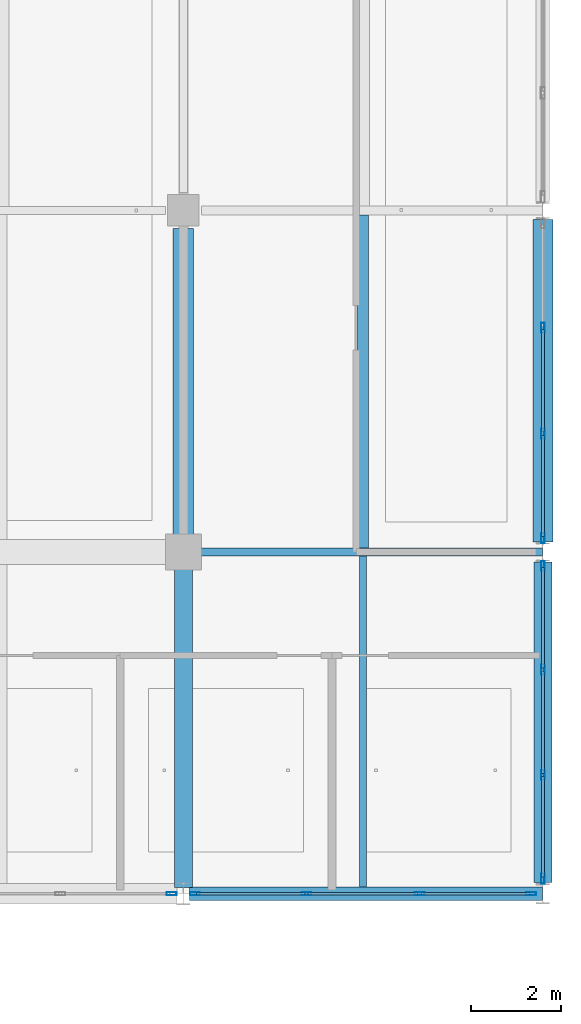
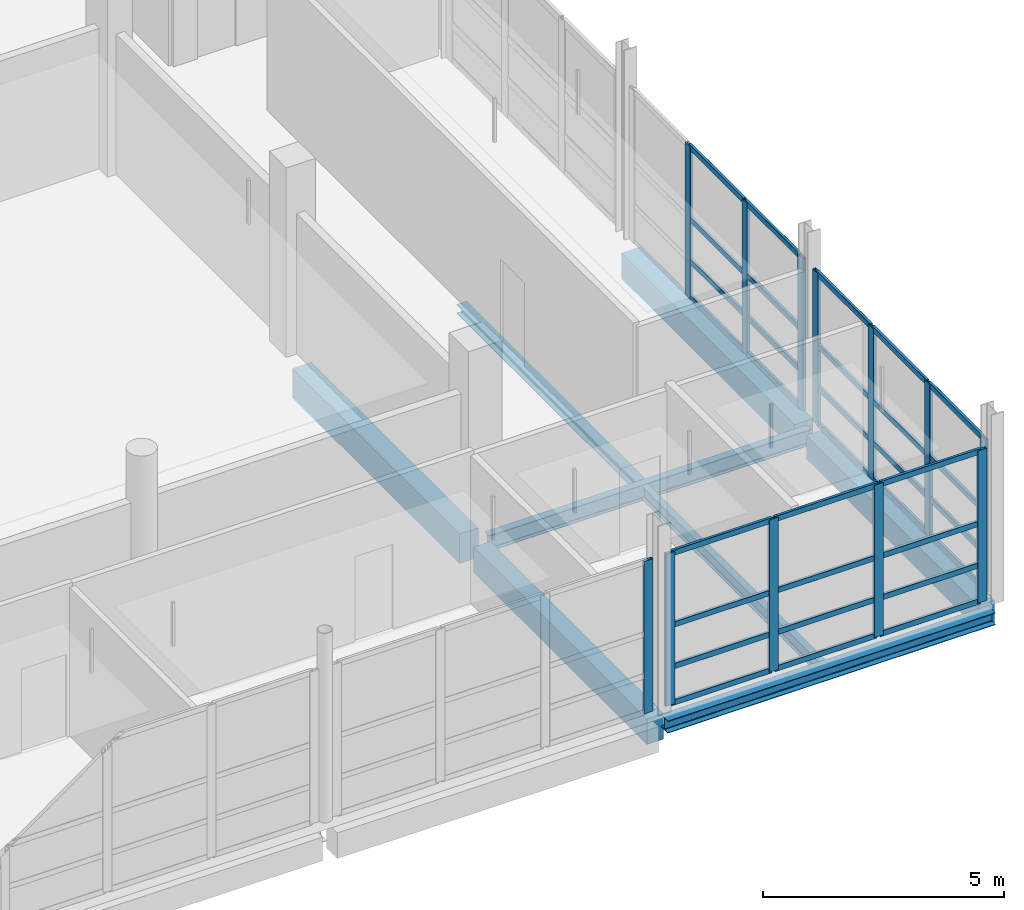
# One storey, part 52 of 141: 44 members, 8 beams, 4 elements without a shape of their own.
"""IFC4 building model written with IfcOpenShell, lengths in metres."""

from ifc_helpers import new_model, si_unit, direction, frame, origin, origin_2d, place, context, subcontext, project, spatial, rectangle, hollow_rectangle, i_section, extrude, material, material_profile, profile_set, type_object, element, aggregate, save


model = new_model("IFC4")

# Units and contexts
model_context = context("Model", 3, precision=1e-05, world=origin(), true_north=direction((0.0, 1.0)))
body_context = subcontext(model_context, "Body", "Model", "MODEL_VIEW")
ifc_project = project(units=[si_unit("LENGTHUNIT", "METRE"), si_unit("AREAUNIT", "SQUARE_METRE"), si_unit("VOLUMEUNIT", "CUBIC_METRE"), si_unit("PLANEANGLEUNIT", "RADIAN"), si_unit("MASSUNIT", "GRAM", prefix="KILO")], contexts=[model_context])

# Site, building, storey
site_placement = place(None, origin())
site = spatial("IfcSite", under=ifc_project, at=site_placement, CompositionType="ELEMENT")
building_placement = place(site_placement, origin())
building = spatial("IfcBuilding", under=site, at=building_placement, Name="Khelvaren Railside Concert Hall", CompositionType="ELEMENT")
storey_placement = place(building_placement, frame((0.0, 0.0, 10.199951171875)))
storey = spatial("IfcBuildingStorey", under=building, at=storey_placement, Name="L02", CompositionType="ELEMENT", Elevation=10.199951171875)

# Beams
ifc_material_1 = material(Name="Steel S355", Category="steel")
ifc_material_profile_1 = material_profile(ifc_material_1, i_section(OverallWidth=0.179931640625, OverallDepth=0.39990234375, WebThickness=0.008544921875, FlangeThickness=0.013427734375, FilletRadius=0.02099609375, at=origin_2d()), Name="IPE 400")
ifc_profile_set_1 = profile_set([ifc_material_profile_1], Name="Steel S355")
beam_type_1 = type_object("IfcBeamType", Name="BM29", PredefinedType="BEAM", material=ifc_profile_set_1)
beam_1_placement = place(storey_placement, frame((176.27294921875, 7.60009765625, -0.489990234375), z_axis=(1.0, 0.0, 0.0), x_axis=(0.0, 1.0, 0.0)))
element("IfcBeam", 1, at=beam_1_placement, inside=storey, type_object=beam_type_1, Name="V2 L02 Beam X2.5", PredefinedType="BEAM", context=body_context, shape_type="SweptSolid", body=[
    extrude(i_section(OverallWidth=0.179931640625, OverallDepth=0.39990234375, WebThickness=0.008544921875, FlangeThickness=0.013427734375, FilletRadius=0.02099609375, at=origin_2d()), origin(), (0.0, 0.0, 1.0), 7.717041015625),
])
ifc_material_2 = material(Name="Concrete C40/50", Category="concrete")
ifc_material_profile_2 = material_profile(ifc_material_2, rectangle(XDim=0.39990234375, YDim=0.64990234375, at=origin_2d()), Name="RCB 400x650")
ifc_profile_set_2 = profile_set([ifc_material_profile_2], Name="Concrete C40/50")
beam_type_2 = type_object("IfcBeamType", Name="BM33", PredefinedType="BEAM", material=ifc_profile_set_2)
beam_2_placement = place(storey_placement, frame((176.0, 0.135986328125, -0.614990234375), z_axis=(0.0, 1.0, 0.0), x_axis=(-1.0, 0.0, 0.0)))
element("IfcBeam", 2, at=beam_2_placement, inside=storey, type_object=beam_type_2, Name="V2 L02 Beam Y5.1", PredefinedType="BEAM", context=body_context, shape_type="SweptSolid", body=[
    extrude(rectangle(XDim=0.39990234375, YDim=0.64990234375, at=origin_2d()), origin(), (0.0, 0.0, 1.0), 7.19091796875),
])
ifc_material_profile_3 = material_profile(ifc_material_2, rectangle(XDim=0.449951171875, YDim=0.75, at=origin_2d()), Name="RCB 450x750")
ifc_profile_set_3 = profile_set([ifc_material_profile_3], Name="Concrete C40/50")
beam_type_3 = type_object("IfcBeamType", Name="BM83", PredefinedType="BEAM", material=ifc_profile_set_3)
beam_3_placement = place(storey_placement, frame((176.0, 7.873046875, -0.6650390625), z_axis=(0.0, 1.0, 0.0), x_axis=(-1.0, 0.0, 0.0)))
element("IfcBeam", 3, at=beam_3_placement, inside=storey, type_object=beam_type_3, Name="V2 L02 Beam Y5.2", PredefinedType="BEAM", context=body_context, shape_type="SweptSolid", body=[
    extrude(rectangle(XDim=0.449951171875, YDim=0.75, at=origin_2d()), origin(), (0.0, 0.0, 1.0), 6.927001953125),
])

# Curtain wall, member
ifc_material_3 = material(Name="Double-glazed clear foyer glass", Category="glass")
curtain_wall_type_1 = type_object("IfcCurtainWallType", Name="CW70", PredefinedType="USERDEFINED", material=ifc_material_3)
curtain_wall_1_placement = place(storey_placement, origin())
curtain_wall_1 = element("IfcCurtainWall", 4, at=curtain_wall_1_placement, inside=storey, type_object=curtain_wall_type_1, Name="Unitised Curtain Wall CW-V2-L02-S-168", ObjectType="UNITISED CURTAIN WALL", PredefinedType="USERDEFINED")
ifc_material_4 = material(Name="Anodised architectural aluminium 6063-T6", Category="aluminium")
ifc_material_profile_4 = material_profile(ifc_material_4, hollow_rectangle(XDim=0.074951171875, YDim=0.219970703125, WallThickness=0.0048828125, InnerFilletRadius=0.0029296875, OuterFilletRadius=0.0048828125, at=origin_2d()), Name="CWM 75x220x5")
ifc_profile_set_4 = profile_set([ifc_material_profile_4], Name="Anodised architectural aluminium 6063-T6")
member_type_1 = type_object("IfcMemberType", Name="CWM13", PredefinedType="MULLION", material=ifc_profile_set_4)
member_1_placement = place(storey_placement, frame((175.739990234375, 0.0, 0.0), z_axis=(0.0, 0.0, 1.0), x_axis=(0.0, -1.0, 0.0)))
member_1 = element("IfcMember", 5, at=member_1_placement, type_object=member_type_1, Name="CW70 mullion 1", PredefinedType="MULLION", context=body_context, shape_type="SweptSolid", body=[
    extrude(hollow_rectangle(XDim=0.074951171875, YDim=0.219970703125, WallThickness=0.0048828125, InnerFilletRadius=0.0029296875, OuterFilletRadius=0.0048828125, at=origin_2d()), origin(), (0.0, 0.0, 1.0), 3.860107421875),
])
aggregate(curtain_wall_1, [member_1])

# Curtain wall, members
curtain_wall_type_2 = type_object("IfcCurtainWallType", Name="CW83", PredefinedType="USERDEFINED", material=ifc_material_3)
curtain_wall_2_placement = place(storey_placement, origin())
curtain_wall_2 = element("IfcCurtainWall", 6, at=curtain_wall_2_placement, inside=storey, type_object=curtain_wall_type_2, Name="Unitised Curtain Wall CW-V2-L02-S-176", ObjectType="UNITISED CURTAIN WALL", PredefinedType="USERDEFINED")
member_2_placement = place(storey_placement, frame((183.739990234375, 0.0, 0.0), z_axis=(0.0, 0.0, 1.0), x_axis=(0.0, -1.0, 0.0)))
member_2 = element("IfcMember", 7, at=member_2_placement, type_object=member_type_1, Name="CW83 mullion 1", PredefinedType="MULLION", context=body_context, shape_type="SweptSolid", body=[
    extrude(hollow_rectangle(XDim=0.074951171875, YDim=0.219970703125, WallThickness=0.0048828125, InnerFilletRadius=0.0029296875, OuterFilletRadius=0.0048828125, at=origin_2d()), origin(), (0.0, 0.0, 1.0), 3.860107421875),
])
member_3_placement = place(storey_placement, frame((181.25927734375, 0.0, 0.0), z_axis=(0.0, 0.0, 1.0), x_axis=(0.0, -1.0, 0.0)))
member_3 = element("IfcMember", 8, at=member_3_placement, type_object=member_type_1, Name="CW83 mullion 2", PredefinedType="MULLION", context=body_context, shape_type="SweptSolid", body=[
    extrude(hollow_rectangle(XDim=0.074951171875, YDim=0.219970703125, WallThickness=0.0048828125, InnerFilletRadius=0.0029296875, OuterFilletRadius=0.0048828125, at=origin_2d()), origin(), (0.0, 0.0, 1.0), 3.860107421875),
])
member_4_placement = place(storey_placement, frame((178.74072265625, 0.0, 0.0), z_axis=(0.0, 0.0, 1.0), x_axis=(0.0, -1.0, 0.0)))
member_4 = element("IfcMember", 9, at=member_4_placement, type_object=member_type_1, Name="CW83 mullion 3", PredefinedType="MULLION", context=body_context, shape_type="SweptSolid", body=[
    extrude(hollow_rectangle(XDim=0.074951171875, YDim=0.219970703125, WallThickness=0.0048828125, InnerFilletRadius=0.0029296875, OuterFilletRadius=0.0048828125, at=origin_2d()), origin(), (0.0, 0.0, 1.0), 3.860107421875),
])
member_5_placement = place(storey_placement, frame((176.260009765625, 0.0, 0.0), z_axis=(0.0, 0.0, 1.0), x_axis=(0.0, -1.0, 0.0)))
member_5 = element("IfcMember", 10, at=member_5_placement, type_object=member_type_1, Name="CW83 mullion 4", PredefinedType="MULLION", context=body_context, shape_type="SweptSolid", body=[
    extrude(hollow_rectangle(XDim=0.074951171875, YDim=0.219970703125, WallThickness=0.0048828125, InnerFilletRadius=0.0029296875, OuterFilletRadius=0.0048828125, at=origin_2d()), origin(), (0.0, 0.0, 1.0), 3.860107421875),
])

curtain_wall_3_placement = place(storey_placement, origin())
curtain_wall_3 = element("IfcCurtainWall", 11, at=curtain_wall_3_placement, inside=storey, type_object=curtain_wall_type_2, Name="Unitised Curtain Wall CW-V2-L02-E-0", ObjectType="UNITISED CURTAIN WALL", PredefinedType="USERDEFINED")
member_6_placement = place(storey_placement, frame((184.0, 7.2900390625, 0.0), z_axis=(0.0, 0.0, 1.0), x_axis=(1.0, 0.0, 0.0)))
member_6 = element("IfcMember", 12, at=member_6_placement, type_object=member_type_1, Name="CW83 mullion 1", PredefinedType="MULLION", context=body_context, shape_type="SweptSolid", body=[
    extrude(hollow_rectangle(XDim=0.074951171875, YDim=0.219970703125, WallThickness=0.0048828125, InnerFilletRadius=0.0029296875, OuterFilletRadius=0.0048828125, at=origin_2d()), origin(), (0.0, 0.0, 1.0), 3.860107421875),
])
member_7_placement = place(storey_placement, frame((184.0, 4.984130859375, 0.0), z_axis=(0.0, 0.0, 1.0), x_axis=(1.0, 0.0, 0.0)))
member_7 = element("IfcMember", 13, at=member_7_placement, type_object=member_type_1, Name="CW83 mullion 2", PredefinedType="MULLION", context=body_context, shape_type="SweptSolid", body=[
    extrude(hollow_rectangle(XDim=0.074951171875, YDim=0.219970703125, WallThickness=0.0048828125, InnerFilletRadius=0.0029296875, OuterFilletRadius=0.0048828125, at=origin_2d()), origin(), (0.0, 0.0, 1.0), 3.860107421875),
])
member_8_placement = place(storey_placement, frame((184.0, 2.640869140625, 0.0), z_axis=(0.0, 0.0, 1.0), x_axis=(1.0, 0.0, 0.0)))
member_8 = element("IfcMember", 14, at=member_8_placement, type_object=member_type_1, Name="CW83 mullion 3", PredefinedType="MULLION", context=body_context, shape_type="SweptSolid", body=[
    extrude(hollow_rectangle(XDim=0.074951171875, YDim=0.219970703125, WallThickness=0.0048828125, InnerFilletRadius=0.0029296875, OuterFilletRadius=0.0048828125, at=origin_2d()), origin(), (0.0, 0.0, 1.0), 3.860107421875),
])
member_9_placement = place(storey_placement, frame((184.0, 0.3349609375, 0.0), z_axis=(0.0, 0.0, 1.0), x_axis=(1.0, 0.0, 0.0)))
member_9 = element("IfcMember", 15, at=member_9_placement, type_object=member_type_1, Name="CW83 mullion 4", PredefinedType="MULLION", context=body_context, shape_type="SweptSolid", body=[
    extrude(hollow_rectangle(XDim=0.074951171875, YDim=0.219970703125, WallThickness=0.0048828125, InnerFilletRadius=0.0029296875, OuterFilletRadius=0.0048828125, at=origin_2d()), origin(), (0.0, 0.0, 1.0), 3.860107421875),
])

curtain_wall_type_3 = type_object("IfcCurtainWallType", Name="CW64", PredefinedType="USERDEFINED", material=ifc_material_3)
curtain_wall_4_placement = place(storey_placement, origin())
curtain_wall_4 = element("IfcCurtainWall", 16, at=curtain_wall_4_placement, inside=storey, type_object=curtain_wall_type_3, Name="Unitised Curtain Wall CW-V2-L02-E-8", ObjectType="UNITISED CURTAIN WALL", PredefinedType="USERDEFINED")
member_10_placement = place(storey_placement, frame((184.0, 12.589111328125, 0.0), z_axis=(0.0, 0.0, 1.0), x_axis=(1.0, 0.0, 0.0)))
member_10 = element("IfcMember", 17, at=member_10_placement, type_object=member_type_1, Name="CW64 mullion 2", PredefinedType="MULLION", context=body_context, shape_type="SweptSolid", body=[
    extrude(hollow_rectangle(XDim=0.074951171875, YDim=0.219970703125, WallThickness=0.0048828125, InnerFilletRadius=0.0029296875, OuterFilletRadius=0.0048828125, at=origin_2d()), origin(), (0.0, 0.0, 1.0), 3.860107421875),
])
member_11_placement = place(storey_placement, frame((184.0, 10.230712890625, 0.0), z_axis=(0.0, 0.0, 1.0), x_axis=(1.0, 0.0, 0.0)))
member_11 = element("IfcMember", 18, at=member_11_placement, type_object=member_type_1, Name="CW64 mullion 3", PredefinedType="MULLION", context=body_context, shape_type="SweptSolid", body=[
    extrude(hollow_rectangle(XDim=0.074951171875, YDim=0.219970703125, WallThickness=0.0048828125, InnerFilletRadius=0.0029296875, OuterFilletRadius=0.0048828125, at=origin_2d()), origin(), (0.0, 0.0, 1.0), 3.860107421875),
])
member_12_placement = place(storey_placement, frame((184.0, 7.909912109375, 0.0), z_axis=(0.0, 0.0, 1.0), x_axis=(1.0, 0.0, 0.0)))
member_12 = element("IfcMember", 19, at=member_12_placement, type_object=member_type_1, Name="CW64 mullion 4", PredefinedType="MULLION", context=body_context, shape_type="SweptSolid", body=[
    extrude(hollow_rectangle(XDim=0.074951171875, YDim=0.219970703125, WallThickness=0.0048828125, InnerFilletRadius=0.0029296875, OuterFilletRadius=0.0048828125, at=origin_2d()), origin(), (0.0, 0.0, 1.0), 3.860107421875),
])

# Member
ifc_material_profile_5 = material_profile(ifc_material_4, hollow_rectangle(XDim=0.06494140625, YDim=0.139892578125, WallThickness=0.00390625, InnerFilletRadius=0.001953125, OuterFilletRadius=0.00390625, at=origin_2d()), Name="CWT 65x140x4")
ifc_profile_set_5 = profile_set([ifc_material_profile_5], Name="Anodised architectural aluminium 6063-T6")
member_type_2 = type_object("IfcMemberType", Name="CWT72", PredefinedType="USERDEFINED", material=ifc_profile_set_5)
member_13_placement = place(storey_placement, frame((183.702392578125, 0.0, 0.032470703125), z_axis=(-1.0, 0.0, 0.0), x_axis=(0.0, -1.0, 0.0)))
member_13 = element("IfcMember", 20, at=member_13_placement, type_object=member_type_2, Name="CW83 transom 1.1", ObjectType="TRANSOM", PredefinedType="USERDEFINED", context=body_context, shape_type="SweptSolid", body=[
    extrude(hollow_rectangle(XDim=0.06494140625, YDim=0.139892578125, WallThickness=0.00390625, InnerFilletRadius=0.001953125, OuterFilletRadius=0.00390625, at=origin_2d()), origin(), (0.0, 0.0, 1.0), 2.40576171875),
])

member_14_placement = place(storey_placement, frame((183.702392578125, 0.0, 0.949951171875), z_axis=(-1.0, 0.0, 0.0), x_axis=(0.0, -1.0, 0.0)))
member_14 = element("IfcMember", 21, at=member_14_placement, type_object=member_type_2, Name="CW83 transom 1.2", ObjectType="TRANSOM", PredefinedType="USERDEFINED", context=body_context, shape_type="SweptSolid", body=[
    extrude(hollow_rectangle(XDim=0.06494140625, YDim=0.139892578125, WallThickness=0.00390625, InnerFilletRadius=0.001953125, OuterFilletRadius=0.00390625, at=origin_2d()), origin(), (0.0, 0.0, 1.0), 2.40576171875),
])

member_15_placement = place(storey_placement, frame((183.702392578125, 0.0, 2.00732421875), z_axis=(-1.0, 0.0, 0.0), x_axis=(0.0, -1.0, 0.0)))
member_15 = element("IfcMember", 22, at=member_15_placement, type_object=member_type_2, Name="CW83 transom 1.3", ObjectType="TRANSOM", PredefinedType="USERDEFINED", context=body_context, shape_type="SweptSolid", body=[
    extrude(hollow_rectangle(XDim=0.06494140625, YDim=0.139892578125, WallThickness=0.00390625, InnerFilletRadius=0.001953125, OuterFilletRadius=0.00390625, at=origin_2d()), origin(), (0.0, 0.0, 1.0), 2.40576171875),
])

member_16_placement = place(storey_placement, frame((183.702392578125, 0.0, 3.82763671875), z_axis=(-1.0, 0.0, 0.0), x_axis=(0.0, -1.0, 0.0)))
member_16 = element("IfcMember", 23, at=member_16_placement, type_object=member_type_2, Name="CW83 transom 1.4", ObjectType="TRANSOM", PredefinedType="USERDEFINED", context=body_context, shape_type="SweptSolid", body=[
    extrude(hollow_rectangle(XDim=0.06494140625, YDim=0.139892578125, WallThickness=0.00390625, InnerFilletRadius=0.001953125, OuterFilletRadius=0.00390625, at=origin_2d()), origin(), (0.0, 0.0, 1.0), 2.40576171875),
])

member_17_placement = place(storey_placement, frame((181.2216796875, 0.0, 0.032470703125), z_axis=(-1.0, 0.0, 0.0), x_axis=(0.0, -1.0, 0.0)))
member_17 = element("IfcMember", 24, at=member_17_placement, type_object=member_type_2, Name="CW83 transom 2.1", ObjectType="TRANSOM", PredefinedType="USERDEFINED", context=body_context, shape_type="SweptSolid", body=[
    extrude(hollow_rectangle(XDim=0.06494140625, YDim=0.139892578125, WallThickness=0.00390625, InnerFilletRadius=0.001953125, OuterFilletRadius=0.00390625, at=origin_2d()), origin(), (0.0, 0.0, 1.0), 2.443359375),
])

member_18_placement = place(storey_placement, frame((181.2216796875, 0.0, 0.949951171875), z_axis=(-1.0, 0.0, 0.0), x_axis=(0.0, -1.0, 0.0)))
member_18 = element("IfcMember", 25, at=member_18_placement, type_object=member_type_2, Name="CW83 transom 2.2", ObjectType="TRANSOM", PredefinedType="USERDEFINED", context=body_context, shape_type="SweptSolid", body=[
    extrude(hollow_rectangle(XDim=0.06494140625, YDim=0.139892578125, WallThickness=0.00390625, InnerFilletRadius=0.001953125, OuterFilletRadius=0.00390625, at=origin_2d()), origin(), (0.0, 0.0, 1.0), 2.443359375),
])

member_19_placement = place(storey_placement, frame((181.2216796875, 0.0, 2.00732421875), z_axis=(-1.0, 0.0, 0.0), x_axis=(0.0, -1.0, 0.0)))
member_19 = element("IfcMember", 26, at=member_19_placement, type_object=member_type_2, Name="CW83 transom 2.3", ObjectType="TRANSOM", PredefinedType="USERDEFINED", context=body_context, shape_type="SweptSolid", body=[
    extrude(hollow_rectangle(XDim=0.06494140625, YDim=0.139892578125, WallThickness=0.00390625, InnerFilletRadius=0.001953125, OuterFilletRadius=0.00390625, at=origin_2d()), origin(), (0.0, 0.0, 1.0), 2.443359375),
])

member_20_placement = place(storey_placement, frame((181.2216796875, 0.0, 3.82763671875), z_axis=(-1.0, 0.0, 0.0), x_axis=(0.0, -1.0, 0.0)))
member_20 = element("IfcMember", 27, at=member_20_placement, type_object=member_type_2, Name="CW83 transom 2.4", ObjectType="TRANSOM", PredefinedType="USERDEFINED", context=body_context, shape_type="SweptSolid", body=[
    extrude(hollow_rectangle(XDim=0.06494140625, YDim=0.139892578125, WallThickness=0.00390625, InnerFilletRadius=0.001953125, OuterFilletRadius=0.00390625, at=origin_2d()), origin(), (0.0, 0.0, 1.0), 2.443359375),
])

member_21_placement = place(storey_placement, frame((178.703369140625, 0.0, 0.032470703125), z_axis=(-1.0, 0.0, 0.0), x_axis=(0.0, -1.0, 0.0)))
member_21 = element("IfcMember", 28, at=member_21_placement, type_object=member_type_2, Name="CW83 transom 3.1", ObjectType="TRANSOM", PredefinedType="USERDEFINED", context=body_context, shape_type="SweptSolid", body=[
    extrude(hollow_rectangle(XDim=0.06494140625, YDim=0.139892578125, WallThickness=0.00390625, InnerFilletRadius=0.001953125, OuterFilletRadius=0.00390625, at=origin_2d()), origin(), (0.0, 0.0, 1.0), 2.40576171875),
])

member_22_placement = place(storey_placement, frame((178.703369140625, 0.0, 0.949951171875), z_axis=(-1.0, 0.0, 0.0), x_axis=(0.0, -1.0, 0.0)))
member_22 = element("IfcMember", 29, at=member_22_placement, type_object=member_type_2, Name="CW83 transom 3.2", ObjectType="TRANSOM", PredefinedType="USERDEFINED", context=body_context, shape_type="SweptSolid", body=[
    extrude(hollow_rectangle(XDim=0.06494140625, YDim=0.139892578125, WallThickness=0.00390625, InnerFilletRadius=0.001953125, OuterFilletRadius=0.00390625, at=origin_2d()), origin(), (0.0, 0.0, 1.0), 2.40576171875),
])

member_23_placement = place(storey_placement, frame((178.703369140625, 0.0, 2.00732421875), z_axis=(-1.0, 0.0, 0.0), x_axis=(0.0, -1.0, 0.0)))
member_23 = element("IfcMember", 30, at=member_23_placement, type_object=member_type_2, Name="CW83 transom 3.3", ObjectType="TRANSOM", PredefinedType="USERDEFINED", context=body_context, shape_type="SweptSolid", body=[
    extrude(hollow_rectangle(XDim=0.06494140625, YDim=0.139892578125, WallThickness=0.00390625, InnerFilletRadius=0.001953125, OuterFilletRadius=0.00390625, at=origin_2d()), origin(), (0.0, 0.0, 1.0), 2.40576171875),
])

member_24_placement = place(storey_placement, frame((178.703369140625, 0.0, 3.82763671875), z_axis=(-1.0, 0.0, 0.0), x_axis=(0.0, -1.0, 0.0)))
member_24 = element("IfcMember", 31, at=member_24_placement, type_object=member_type_2, Name="CW83 transom 3.4", ObjectType="TRANSOM", PredefinedType="USERDEFINED", context=body_context, shape_type="SweptSolid", body=[
    extrude(hollow_rectangle(XDim=0.06494140625, YDim=0.139892578125, WallThickness=0.00390625, InnerFilletRadius=0.001953125, OuterFilletRadius=0.00390625, at=origin_2d()), origin(), (0.0, 0.0, 1.0), 2.40576171875),
])

aggregate(curtain_wall_2, [member_2, member_3, member_4, member_5, member_13, member_14, member_15, member_16, member_17, member_18, member_19, member_20, member_21, member_22, member_23, member_24])

member_25_placement = place(storey_placement, frame((184.0, 7.25244140625, 0.032470703125), z_axis=(0.0, -1.0, 0.0), x_axis=(1.0, 0.0, 0.0)))
member_25 = element("IfcMember", 32, at=member_25_placement, type_object=member_type_2, Name="CW83 transom 1.1", ObjectType="TRANSOM", PredefinedType="USERDEFINED", context=body_context, shape_type="SweptSolid", body=[
    extrude(hollow_rectangle(XDim=0.06494140625, YDim=0.139892578125, WallThickness=0.00390625, InnerFilletRadius=0.001953125, OuterFilletRadius=0.00390625, at=origin_2d()), origin(), (0.0, 0.0, 1.0), 2.230712890625),
])

member_26_placement = place(storey_placement, frame((184.0, 7.25244140625, 0.949951171875), z_axis=(0.0, -1.0, 0.0), x_axis=(1.0, 0.0, 0.0)))
member_26 = element("IfcMember", 33, at=member_26_placement, type_object=member_type_2, Name="CW83 transom 1.2", ObjectType="TRANSOM", PredefinedType="USERDEFINED", context=body_context, shape_type="SweptSolid", body=[
    extrude(hollow_rectangle(XDim=0.06494140625, YDim=0.139892578125, WallThickness=0.00390625, InnerFilletRadius=0.001953125, OuterFilletRadius=0.00390625, at=origin_2d()), origin(), (0.0, 0.0, 1.0), 2.230712890625),
])

member_27_placement = place(storey_placement, frame((184.0, 7.25244140625, 2.00732421875), z_axis=(0.0, -1.0, 0.0), x_axis=(1.0, 0.0, 0.0)))
member_27 = element("IfcMember", 34, at=member_27_placement, type_object=member_type_2, Name="CW83 transom 1.3", ObjectType="TRANSOM", PredefinedType="USERDEFINED", context=body_context, shape_type="SweptSolid", body=[
    extrude(hollow_rectangle(XDim=0.06494140625, YDim=0.139892578125, WallThickness=0.00390625, InnerFilletRadius=0.001953125, OuterFilletRadius=0.00390625, at=origin_2d()), origin(), (0.0, 0.0, 1.0), 2.230712890625),
])

member_28_placement = place(storey_placement, frame((184.0, 7.25244140625, 3.82763671875), z_axis=(0.0, -1.0, 0.0), x_axis=(1.0, 0.0, 0.0)))
member_28 = element("IfcMember", 35, at=member_28_placement, type_object=member_type_2, Name="CW83 transom 1.4", ObjectType="TRANSOM", PredefinedType="USERDEFINED", context=body_context, shape_type="SweptSolid", body=[
    extrude(hollow_rectangle(XDim=0.06494140625, YDim=0.139892578125, WallThickness=0.00390625, InnerFilletRadius=0.001953125, OuterFilletRadius=0.00390625, at=origin_2d()), origin(), (0.0, 0.0, 1.0), 2.230712890625),
])

member_29_placement = place(storey_placement, frame((184.0, 4.94677734375, 0.032470703125), z_axis=(0.0, -1.0, 0.0), x_axis=(1.0, 0.0, 0.0)))
member_29 = element("IfcMember", 36, at=member_29_placement, type_object=member_type_2, Name="CW83 transom 2.1", ObjectType="TRANSOM", PredefinedType="USERDEFINED", context=body_context, shape_type="SweptSolid", body=[
    extrude(hollow_rectangle(XDim=0.06494140625, YDim=0.139892578125, WallThickness=0.00390625, InnerFilletRadius=0.001953125, OuterFilletRadius=0.00390625, at=origin_2d()), origin(), (0.0, 0.0, 1.0), 2.2685546875),
])

member_30_placement = place(storey_placement, frame((184.0, 4.94677734375, 0.949951171875), z_axis=(0.0, -1.0, 0.0), x_axis=(1.0, 0.0, 0.0)))
member_30 = element("IfcMember", 37, at=member_30_placement, type_object=member_type_2, Name="CW83 transom 2.2", ObjectType="TRANSOM", PredefinedType="USERDEFINED", context=body_context, shape_type="SweptSolid", body=[
    extrude(hollow_rectangle(XDim=0.06494140625, YDim=0.139892578125, WallThickness=0.00390625, InnerFilletRadius=0.001953125, OuterFilletRadius=0.00390625, at=origin_2d()), origin(), (0.0, 0.0, 1.0), 2.2685546875),
])

member_31_placement = place(storey_placement, frame((184.0, 4.94677734375, 2.00732421875), z_axis=(0.0, -1.0, 0.0), x_axis=(1.0, 0.0, 0.0)))
member_31 = element("IfcMember", 38, at=member_31_placement, type_object=member_type_2, Name="CW83 transom 2.3", ObjectType="TRANSOM", PredefinedType="USERDEFINED", context=body_context, shape_type="SweptSolid", body=[
    extrude(hollow_rectangle(XDim=0.06494140625, YDim=0.139892578125, WallThickness=0.00390625, InnerFilletRadius=0.001953125, OuterFilletRadius=0.00390625, at=origin_2d()), origin(), (0.0, 0.0, 1.0), 2.2685546875),
])

member_32_placement = place(storey_placement, frame((184.0, 4.94677734375, 3.82763671875), z_axis=(0.0, -1.0, 0.0), x_axis=(1.0, 0.0, 0.0)))
member_32 = element("IfcMember", 39, at=member_32_placement, type_object=member_type_2, Name="CW83 transom 2.4", ObjectType="TRANSOM", PredefinedType="USERDEFINED", context=body_context, shape_type="SweptSolid", body=[
    extrude(hollow_rectangle(XDim=0.06494140625, YDim=0.139892578125, WallThickness=0.00390625, InnerFilletRadius=0.001953125, OuterFilletRadius=0.00390625, at=origin_2d()), origin(), (0.0, 0.0, 1.0), 2.2685546875),
])

member_33_placement = place(storey_placement, frame((184.0, 2.603271484375, 0.032470703125), z_axis=(0.0, -1.0, 0.0), x_axis=(1.0, 0.0, 0.0)))
member_33 = element("IfcMember", 40, at=member_33_placement, type_object=member_type_2, Name="CW83 transom 3.1", ObjectType="TRANSOM", PredefinedType="USERDEFINED", context=body_context, shape_type="SweptSolid", body=[
    extrude(hollow_rectangle(XDim=0.06494140625, YDim=0.139892578125, WallThickness=0.00390625, InnerFilletRadius=0.001953125, OuterFilletRadius=0.00390625, at=origin_2d()), origin(), (0.0, 0.0, 1.0), 2.230712890625),
])

member_34_placement = place(storey_placement, frame((184.0, 2.603271484375, 0.949951171875), z_axis=(0.0, -1.0, 0.0), x_axis=(1.0, 0.0, 0.0)))
member_34 = element("IfcMember", 41, at=member_34_placement, type_object=member_type_2, Name="CW83 transom 3.2", ObjectType="TRANSOM", PredefinedType="USERDEFINED", context=body_context, shape_type="SweptSolid", body=[
    extrude(hollow_rectangle(XDim=0.06494140625, YDim=0.139892578125, WallThickness=0.00390625, InnerFilletRadius=0.001953125, OuterFilletRadius=0.00390625, at=origin_2d()), origin(), (0.0, 0.0, 1.0), 2.230712890625),
])

member_35_placement = place(storey_placement, frame((184.0, 2.603271484375, 2.00732421875), z_axis=(0.0, -1.0, 0.0), x_axis=(1.0, 0.0, 0.0)))
member_35 = element("IfcMember", 42, at=member_35_placement, type_object=member_type_2, Name="CW83 transom 3.3", ObjectType="TRANSOM", PredefinedType="USERDEFINED", context=body_context, shape_type="SweptSolid", body=[
    extrude(hollow_rectangle(XDim=0.06494140625, YDim=0.139892578125, WallThickness=0.00390625, InnerFilletRadius=0.001953125, OuterFilletRadius=0.00390625, at=origin_2d()), origin(), (0.0, 0.0, 1.0), 2.230712890625),
])

member_36_placement = place(storey_placement, frame((184.0, 2.603271484375, 3.82763671875), z_axis=(0.0, -1.0, 0.0), x_axis=(1.0, 0.0, 0.0)))
member_36 = element("IfcMember", 43, at=member_36_placement, type_object=member_type_2, Name="CW83 transom 3.4", ObjectType="TRANSOM", PredefinedType="USERDEFINED", context=body_context, shape_type="SweptSolid", body=[
    extrude(hollow_rectangle(XDim=0.06494140625, YDim=0.139892578125, WallThickness=0.00390625, InnerFilletRadius=0.001953125, OuterFilletRadius=0.00390625, at=origin_2d()), origin(), (0.0, 0.0, 1.0), 2.230712890625),
])

aggregate(curtain_wall_3, [member_6, member_7, member_8, member_9, member_25, member_26, member_27, member_28, member_29, member_30, member_31, member_32, member_33, member_34, member_35, member_36])

member_37_placement = place(storey_placement, frame((184.0, 12.5517578125, 0.032470703125), z_axis=(0.0, -1.0, 0.0), x_axis=(1.0, 0.0, 0.0)))
member_37 = element("IfcMember", 44, at=member_37_placement, type_object=member_type_2, Name="CW64 transom 2.1", ObjectType="TRANSOM", PredefinedType="USERDEFINED", context=body_context, shape_type="SweptSolid", body=[
    extrude(hollow_rectangle(XDim=0.06494140625, YDim=0.139892578125, WallThickness=0.00390625, InnerFilletRadius=0.001953125, OuterFilletRadius=0.00390625, at=origin_2d()), origin(), (0.0, 0.0, 1.0), 2.283447265625),
])

member_38_placement = place(storey_placement, frame((184.0, 12.5517578125, 0.949951171875), z_axis=(0.0, -1.0, 0.0), x_axis=(1.0, 0.0, 0.0)))
member_38 = element("IfcMember", 45, at=member_38_placement, type_object=member_type_2, Name="CW64 transom 2.2", ObjectType="TRANSOM", PredefinedType="USERDEFINED", context=body_context, shape_type="SweptSolid", body=[
    extrude(hollow_rectangle(XDim=0.06494140625, YDim=0.139892578125, WallThickness=0.00390625, InnerFilletRadius=0.001953125, OuterFilletRadius=0.00390625, at=origin_2d()), origin(), (0.0, 0.0, 1.0), 2.283447265625),
])

member_39_placement = place(storey_placement, frame((184.0, 12.5517578125, 2.00732421875), z_axis=(0.0, -1.0, 0.0), x_axis=(1.0, 0.0, 0.0)))
member_39 = element("IfcMember", 46, at=member_39_placement, type_object=member_type_2, Name="CW64 transom 2.3", ObjectType="TRANSOM", PredefinedType="USERDEFINED", context=body_context, shape_type="SweptSolid", body=[
    extrude(hollow_rectangle(XDim=0.06494140625, YDim=0.139892578125, WallThickness=0.00390625, InnerFilletRadius=0.001953125, OuterFilletRadius=0.00390625, at=origin_2d()), origin(), (0.0, 0.0, 1.0), 2.283447265625),
])

member_40_placement = place(storey_placement, frame((184.0, 12.5517578125, 3.82763671875), z_axis=(0.0, -1.0, 0.0), x_axis=(1.0, 0.0, 0.0)))
member_40 = element("IfcMember", 47, at=member_40_placement, type_object=member_type_2, Name="CW64 transom 2.4", ObjectType="TRANSOM", PredefinedType="USERDEFINED", context=body_context, shape_type="SweptSolid", body=[
    extrude(hollow_rectangle(XDim=0.06494140625, YDim=0.139892578125, WallThickness=0.00390625, InnerFilletRadius=0.001953125, OuterFilletRadius=0.00390625, at=origin_2d()), origin(), (0.0, 0.0, 1.0), 2.283447265625),
])

member_41_placement = place(storey_placement, frame((184.0, 10.193359375, 0.032470703125), z_axis=(0.0, -1.0, 0.0), x_axis=(1.0, 0.0, 0.0)))
member_41 = element("IfcMember", 48, at=member_41_placement, type_object=member_type_2, Name="CW64 transom 3.1", ObjectType="TRANSOM", PredefinedType="USERDEFINED", context=body_context, shape_type="SweptSolid", body=[
    extrude(hollow_rectangle(XDim=0.06494140625, YDim=0.139892578125, WallThickness=0.00390625, InnerFilletRadius=0.001953125, OuterFilletRadius=0.00390625, at=origin_2d()), origin(), (0.0, 0.0, 1.0), 2.245849609375),
])

member_42_placement = place(storey_placement, frame((184.0, 10.193359375, 0.949951171875), z_axis=(0.0, -1.0, 0.0), x_axis=(1.0, 0.0, 0.0)))
member_42 = element("IfcMember", 49, at=member_42_placement, type_object=member_type_2, Name="CW64 transom 3.2", ObjectType="TRANSOM", PredefinedType="USERDEFINED", context=body_context, shape_type="SweptSolid", body=[
    extrude(hollow_rectangle(XDim=0.06494140625, YDim=0.139892578125, WallThickness=0.00390625, InnerFilletRadius=0.001953125, OuterFilletRadius=0.00390625, at=origin_2d()), origin(), (0.0, 0.0, 1.0), 2.245849609375),
])

member_43_placement = place(storey_placement, frame((184.0, 10.193359375, 2.00732421875), z_axis=(0.0, -1.0, 0.0), x_axis=(1.0, 0.0, 0.0)))
member_43 = element("IfcMember", 50, at=member_43_placement, type_object=member_type_2, Name="CW64 transom 3.3", ObjectType="TRANSOM", PredefinedType="USERDEFINED", context=body_context, shape_type="SweptSolid", body=[
    extrude(hollow_rectangle(XDim=0.06494140625, YDim=0.139892578125, WallThickness=0.00390625, InnerFilletRadius=0.001953125, OuterFilletRadius=0.00390625, at=origin_2d()), origin(), (0.0, 0.0, 1.0), 2.245849609375),
])

member_44_placement = place(storey_placement, frame((184.0, 10.193359375, 3.82763671875), z_axis=(0.0, -1.0, 0.0), x_axis=(1.0, 0.0, 0.0)))
member_44 = element("IfcMember", 51, at=member_44_placement, type_object=member_type_2, Name="CW64 transom 3.4", ObjectType="TRANSOM", PredefinedType="USERDEFINED", context=body_context, shape_type="SweptSolid", body=[
    extrude(hollow_rectangle(XDim=0.06494140625, YDim=0.139892578125, WallThickness=0.00390625, InnerFilletRadius=0.001953125, OuterFilletRadius=0.00390625, at=origin_2d()), origin(), (0.0, 0.0, 1.0), 2.245849609375),
])

aggregate(curtain_wall_4, [member_10, member_11, member_12, member_37, member_38, member_39, member_40, member_41, member_42, member_43, member_44])

# Beams
ifc_material_profile_6 = material_profile(ifc_material_1, i_section(OverallWidth=0.159912109375, OverallDepth=0.330078125, WebThickness=0.007568359375, FlangeThickness=0.011474609375, FilletRadius=0.01806640625, at=origin_2d()), Name="IPE 330")
ifc_profile_set_6 = profile_set([ifc_material_profile_6], Name="Steel S355")
beam_type_4 = type_object("IfcBeamType", Name="JS65", PredefinedType="JOIST", material=ifc_profile_set_6)
beam_4_placement = place(storey_placement, frame((180.0, 0.14990234375, -0.454833984375), z_axis=(0.0, 1.0, 0.0), x_axis=(-1.0, 0.0, 0.0)))
element("IfcBeam", 52, at=beam_4_placement, inside=storey, type_object=beam_type_4, Name="V2 L02 Secondary Joist 5.1", PredefinedType="JOIST", context=body_context, shape_type="SweptSolid", body=[
    extrude(i_section(OverallWidth=0.159912109375, OverallDepth=0.330078125, WebThickness=0.007568359375, FlangeThickness=0.011474609375, FilletRadius=0.01806640625, at=origin_2d()), origin(), (0.0, 0.0, 1.0), 7.360107421875),
])
ifc_material_profile_7 = material_profile(ifc_material_1, i_section(OverallWidth=0.239990234375, OverallDepth=0.22998046875, WebThickness=0.007568359375, FlangeThickness=0.011962890625, FilletRadius=0.02099609375, at=origin_2d()), Name="HEA 240")
ifc_profile_set_7 = profile_set([ifc_material_profile_7], Name="Steel S355")
beam_type_5 = type_object("IfcBeamType", Name="JS76", PredefinedType="JOIST", material=ifc_profile_set_7)
beam_5_placement = place(storey_placement, frame((180.0, 7.68994140625, -0.405029296875), z_axis=(0.0, 1.0, 0.0), x_axis=(-1.0, 0.0, 0.0)))
element("IfcBeam", 53, at=beam_5_placement, inside=storey, type_object=beam_type_5, Name="V2 L02 Secondary Joist 5.2", PredefinedType="JOIST", context=body_context, shape_type="SweptSolid", body=[
    extrude(i_section(OverallWidth=0.239990234375, OverallDepth=0.22998046875, WebThickness=0.007568359375, FlangeThickness=0.011962890625, FilletRadius=0.02099609375, at=origin_2d()), origin(), (0.0, 0.0, 1.0), 7.4150390625),
])
ifc_material_profile_8 = material_profile(ifc_material_2, rectangle(XDim=0.449951171875, YDim=0.64990234375, at=origin_2d()), Name="RCB 450x650")
ifc_profile_set_8 = profile_set([ifc_material_profile_8], Name="Concrete C40/50")
beam_type_6 = type_object("IfcBeamType", Name="SP34", PredefinedType="SPANDREL", material=ifc_profile_set_8)
beam_6_placement = place(storey_placement, frame((184.0, 7.824951171875, -0.614990234375), z_axis=(0.0, 1.0, 0.0), x_axis=(-1.0, 0.0, 0.0)))
element("IfcBeam", 54, at=beam_6_placement, inside=storey, type_object=beam_type_6, Name="V2 L02 Spandrel Y6.2", PredefinedType="SPANDREL", context=body_context, shape_type="SweptSolid", body=[
    extrude(rectangle(XDim=0.449951171875, YDim=0.64990234375, at=origin_2d()), origin(), (0.0, 0.0, 1.0), 7.175048828125),
])
ifc_material_profile_9 = material_profile(ifc_material_1, i_section(OverallWidth=0.300048828125, OverallDepth=0.31005859375, WebThickness=0.009033203125, FlangeThickness=0.015380859375, FilletRadius=0.027099609375, at=origin_2d()), Name="HEA 320")
ifc_profile_set_9 = profile_set([ifc_material_profile_9], Name="Steel S355")
beam_type_7 = type_object("IfcBeamType", Name="SP66", PredefinedType="SPANDREL", material=ifc_profile_set_9)
beam_7_placement = place(storey_placement, frame((176.135986328125, 0.0, -0.445068359375), z_axis=(1.0, 0.0, 0.0), x_axis=(0.0, 1.0, 0.0)))
element("IfcBeam", 55, at=beam_7_placement, inside=storey, type_object=beam_type_7, Name="V2 L02 Spandrel X1.5", PredefinedType="SPANDREL", context=body_context, shape_type="SweptSolid", body=[
    extrude(i_section(OverallWidth=0.300048828125, OverallDepth=0.31005859375, WebThickness=0.009033203125, FlangeThickness=0.015380859375, FilletRadius=0.027099609375, at=origin_2d()), origin(), (0.0, 0.0, 1.0), 7.85400390625),
])
ifc_material_profile_10 = material_profile(ifc_material_2, rectangle(XDim=0.39990234375, YDim=0.60009765625, at=origin_2d()), Name="RCB 400x600")
ifc_profile_set_10 = profile_set([ifc_material_profile_10], Name="Concrete C40/50")
beam_type_8 = type_object("IfcBeamType", Name="SP75", PredefinedType="SPANDREL", material=ifc_profile_set_10)
beam_8_placement = place(storey_placement, frame((184.0, 0.25, -0.58984375), z_axis=(0.0, 1.0, 0.0), x_axis=(-1.0, 0.0, 0.0)))
element("IfcBeam", 56, at=beam_8_placement, inside=storey, type_object=beam_type_8, Name="V2 L02 Spandrel Y6.1", PredefinedType="SPANDREL", context=body_context, shape_type="SweptSolid", body=[
    extrude(rectangle(XDim=0.39990234375, YDim=0.60009765625, at=origin_2d()), origin(), (0.0, 0.0, 1.0), 7.125),
])

save(model, "model.ifc")
